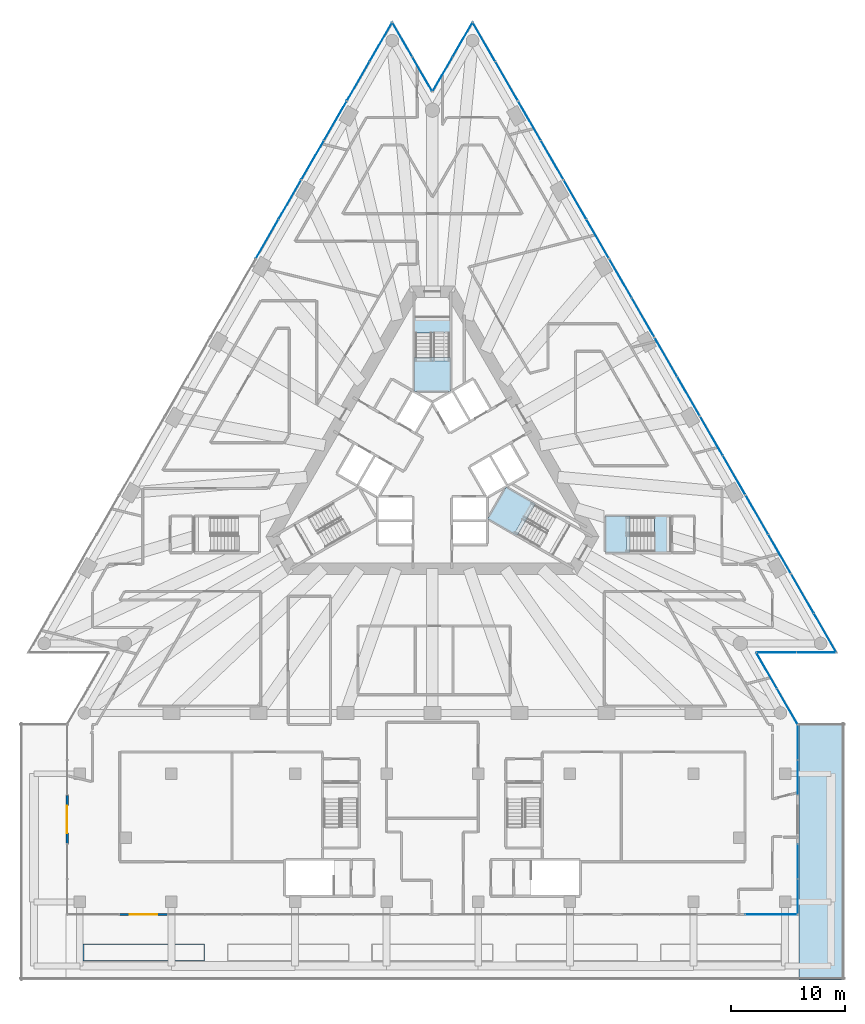
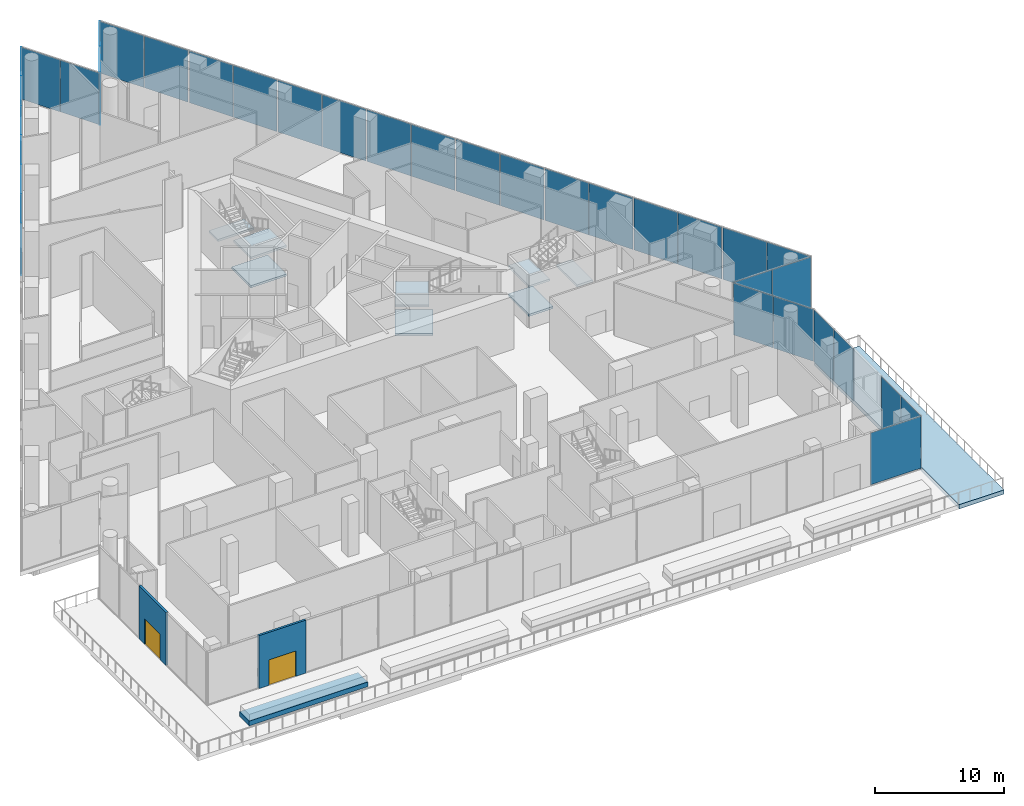
# One storey, part 20 of 32: 35 plates, 9 slabs, 3 walls, 2 doors, 2 openings, 21 elements without a shape of their own.
"""IFC4 building model written with IfcOpenShell, lengths in metres."""

from ifc_helpers import new_model, si_unit, direction, frame, frame_2d, origin, origin_2d, place, context, subcontext, project, spatial, polyline, rectangle, outline, extrude, material, layer, layer_set, layer_usage, type_object, element, fill, aggregate, save


model = new_model("IFC4")

# Units and contexts
model_context = context("Model", 3, precision=1e-05, world=origin(), true_north=direction((0.0, 1.0)))
body_context = subcontext(model_context, "Body", "Model", "MODEL_VIEW")
ifc_project = project(units=[si_unit("LENGTHUNIT", "METRE"), si_unit("AREAUNIT", "SQUARE_METRE"), si_unit("VOLUMEUNIT", "CUBIC_METRE"), si_unit("PLANEANGLEUNIT", "RADIAN"), si_unit("MASSUNIT", "GRAM", prefix="KILO")], contexts=[model_context])

# Site, building, storey
site_placement = place(None, origin())
site = spatial("IfcSite", under=ifc_project, at=site_placement, CompositionType="ELEMENT")
building_placement = place(site_placement, origin())
building = spatial("IfcBuilding", under=site, at=building_placement, Name="Triada Interchange Tower", CompositionType="ELEMENT")
storey_placement = place(building_placement, frame((0.0, 0.0, 14.5)))
storey = spatial("IfcBuildingStorey", under=building, at=storey_placement, Name="L02", CompositionType="ELEMENT", Elevation=14.5)

# Curtain wall, plate
ifc_material_1 = material(Name="Aluminium framed glazing", Category="aluminium")
ifc_layer_1 = layer(ifc_material_1, 0.199951171875)
ifc_layer_set_1 = layer_set([ifc_layer_1], Name="Curtain wall Retail shopfront")
curtain_wall_type = type_object("IfcCurtainWallType", Name="Curtain wall Retail shopfront", PredefinedType="NOTDEFINED", material=ifc_layer_set_1)
curtain_wall_1_placement = place(storey_placement, origin())
curtain_wall_1 = element("IfcCurtainWall", 1, at=curtain_wall_1_placement, inside=storey, type_object=curtain_wall_type, Name="Retail shopfront CW008 L02", PredefinedType="NOTDEFINED")
ifc_material_2 = material(Name="Insulated glazing unit", Category="glass")
ifc_layer_2 = layer(ifc_material_2, 0.028076171875)
ifc_layer_set_2 = layer_set([ifc_layer_2], Name="Glazing panel Retail shopfront 28")
plate_type = type_object("IfcPlateType", Name="Glazing panel Retail shopfront 28", PredefinedType="CURTAIN_PANEL", material=ifc_layer_set_2)
plate_1_placement = place(storey_placement, frame((29.612548828125, -39.199951171875, 0.050048828125), z_axis=(0.0, 0.0, 1.0), x_axis=(1.0, 0.0, 0.0)))
plate_1 = element("IfcPlate", 2, at=plate_1_placement, type_object=plate_type, Name="CW008 panel 1.1", PredefinedType="CURTAIN_PANEL", context=body_context, shape_type="SweptSolid", body=[
    extrude(rectangle(XDim=4.47509765625, YDim=0.028076171875, at=origin_2d()), origin(), (0.0, 0.0, 1.0), 4.89990234375),
])
aggregate(curtain_wall_1, [plate_1])

# Curtain wall, plates
curtain_wall_2_placement = place(storey_placement, origin())
curtain_wall_2 = element("IfcCurtainWall", 3, at=curtain_wall_2_placement, inside=storey, type_object=curtain_wall_type, Name="Retail shopfront CW009 L02", PredefinedType="NOTDEFINED")
plate_2_placement = place(storey_placement, frame((31.89990234375, -37.637451171875, 0.050048828125), z_axis=(0.0, 0.0, 1.0), x_axis=(0.0, 1.0, 0.0)))
plate_2 = element("IfcPlate", 4, at=plate_2_placement, type_object=plate_type, Name="CW009 panel 1.1", PredefinedType="CURTAIN_PANEL", context=body_context, shape_type="SweptSolid", body=[
    extrude(rectangle(XDim=3.02490234375, YDim=0.028076171875, at=origin_2d()), origin(), (0.0, 0.0, 1.0), 4.89990234375),
])
plate_3_placement = place(storey_placement, frame((31.89990234375, -34.5625, 0.050048828125), z_axis=(0.0, 0.0, 1.0), x_axis=(0.0, 1.0, 0.0)))
plate_3 = element("IfcPlate", 5, at=plate_3_placement, type_object=plate_type, Name="CW009 panel 2.1", PredefinedType="CURTAIN_PANEL", context=body_context, shape_type="SweptSolid", body=[
    extrude(rectangle(XDim=3.02490234375, YDim=0.028076171875, at=origin_2d()), origin(), (0.0, 0.0, 1.0), 4.89990234375),
])
aggregate(curtain_wall_2, [plate_2, plate_3])

curtain_wall_3_placement = place(storey_placement, origin())
curtain_wall_3 = element("IfcCurtainWall", 6, at=curtain_wall_3_placement, inside=storey, type_object=curtain_wall_type, Name="Retail shopfront CW010 L02", PredefinedType="NOTDEFINED")
plate_4_placement = place(storey_placement, frame((31.89990234375, -27.237548828125, 0.050048828125), z_axis=(0.0, 0.0, 1.0), x_axis=(0.0, 1.0, 0.0)))
plate_4 = element("IfcPlate", 7, at=plate_4_placement, type_object=plate_type, Name="CW010 panel 1.1", PredefinedType="CURTAIN_PANEL", context=body_context, shape_type="SweptSolid", body=[
    extrude(rectangle(XDim=3.02490234375, YDim=0.028076171875, at=origin_2d()), origin(), (0.0, 0.0, 1.0), 4.89990234375),
])
plate_5_placement = place(storey_placement, frame((31.89990234375, -24.16259765625, 0.050048828125), z_axis=(0.0, 0.0, 1.0), x_axis=(0.0, 1.0, 0.0)))
plate_5 = element("IfcPlate", 8, at=plate_5_placement, type_object=plate_type, Name="CW010 panel 2.1", PredefinedType="CURTAIN_PANEL", context=body_context, shape_type="SweptSolid", body=[
    extrude(rectangle(XDim=3.02490234375, YDim=0.028076171875, at=origin_2d()), origin(), (0.0, 0.0, 1.0), 4.89990234375),
])
aggregate(curtain_wall_3, [plate_4, plate_5])

curtain_wall_4_placement = place(storey_placement, origin())
curtain_wall_4 = element("IfcCurtainWall", 9, at=curtain_wall_4_placement, inside=storey, type_object=curtain_wall_type, Name="Retail shopfront CW011 L02", PredefinedType="NOTDEFINED")
plate_6_placement = place(storey_placement, frame((30.986328125, -21.0205078125, 0.050048828125), z_axis=(0.0, 0.0, 1.0), x_axis=(-0.499909634761, 0.866077569894, 0.0)))
plate_6 = element("IfcPlate", 10, at=plate_6_placement, type_object=plate_type, Name="CW011 panel 1.1", PredefinedType="CURTAIN_PANEL", context=body_context, shape_type="SweptSolid", body=[
    extrude(rectangle(XDim=3.547607421875, YDim=0.028076171875, at=origin_2d()), origin(), (0.0, 0.0, 1.0), 4.89990234375),
])
plate_7_placement = place(storey_placement, frame((29.187744140625, -17.904541015625, 0.050048828125), z_axis=(0.0, 0.0, 1.0), x_axis=(-0.499909634761, 0.866077569894, 0.0)))
plate_7 = element("IfcPlate", 11, at=plate_7_placement, type_object=plate_type, Name="CW011 panel 2.1", PredefinedType="CURTAIN_PANEL", context=body_context, shape_type="SweptSolid", body=[
    extrude(rectangle(XDim=3.547607421875, YDim=0.028076171875, at=origin_2d()), origin(), (0.0, 0.0, 1.0), 4.89990234375),
])
aggregate(curtain_wall_4, [plate_6, plate_7])

curtain_wall_5_placement = place(storey_placement, origin())
curtain_wall_5 = element("IfcCurtainWall", 12, at=curtain_wall_5_placement, inside=storey, type_object=curtain_wall_type, Name="Retail shopfront CW012 L02", PredefinedType="NOTDEFINED")
plate_8_placement = place(storey_placement, frame((30.042236328125, -16.324951171875, 0.050048828125), z_axis=(0.0, 0.0, 1.0), x_axis=(1.0, 0.0, 0.0)))
plate_8 = element("IfcPlate", 13, at=plate_8_placement, type_object=plate_type, Name="CW012 panel 1.1", PredefinedType="CURTAIN_PANEL", context=body_context, shape_type="SweptSolid", body=[
    extrude(rectangle(XDim=3.4326171875, YDim=0.028076171875, at=origin_2d()), origin(), (0.0, 0.0, 1.0), 4.89990234375),
])
plate_9_placement = place(storey_placement, frame((33.524658203125, -16.324951171875, 0.050048828125), z_axis=(0.0, 0.0, 1.0), x_axis=(1.0, 0.0, 0.0)))
plate_9 = element("IfcPlate", 14, at=plate_9_placement, type_object=plate_type, Name="CW012 panel 2.1", PredefinedType="CURTAIN_PANEL", context=body_context, shape_type="SweptSolid", body=[
    extrude(rectangle(XDim=3.4326171875, YDim=0.028076171875, at=origin_2d()), origin(), (0.0, 0.0, 1.0), 4.89990234375),
])
aggregate(curtain_wall_5, [plate_8, plate_9])

curtain_wall_6_placement = place(storey_placement, origin())
curtain_wall_6 = element("IfcCurtainWall", 15, at=curtain_wall_6_placement, inside=storey, type_object=curtain_wall_type, Name="Retail shopfront CW013 L02", PredefinedType="NOTDEFINED")
plate_10_placement = place(storey_placement, frame((34.292236328125, -14.594970703125, 0.050048828125), z_axis=(0.0, 0.0, 1.0), x_axis=(-0.499958648825, 0.86604927658, 0.0)))
plate_10 = element("IfcPlate", 16, at=plate_10_placement, type_object=plate_type, Name="CW013 panel 1.1", PredefinedType="CURTAIN_PANEL", context=body_context, shape_type="SweptSolid", body=[
    extrude(rectangle(XDim=3.895263671875, YDim=0.028076171875, at=origin_2d()), origin(), (0.0, 0.0, 1.0), 4.89990234375),
])
plate_11_placement = place(storey_placement, frame((32.31982421875, -11.177978515625, 0.050048828125), z_axis=(0.0, 0.0, 1.0), x_axis=(-0.499958648825, 0.86604927658, 0.0)))
plate_11 = element("IfcPlate", 17, at=plate_11_placement, type_object=plate_type, Name="CW013 panel 2.1", PredefinedType="CURTAIN_PANEL", context=body_context, shape_type="SweptSolid", body=[
    extrude(rectangle(XDim=3.895263671875, YDim=0.028076171875, at=origin_2d()), origin(), (0.0, 0.0, 1.0), 4.89990234375),
])
aggregate(curtain_wall_6, [plate_10, plate_11])

curtain_wall_7_placement = place(storey_placement, origin())
curtain_wall_7 = element("IfcCurtainWall", 18, at=curtain_wall_7_placement, inside=storey, type_object=curtain_wall_type, Name="Retail shopfront CW014 L02", PredefinedType="NOTDEFINED")
plate_12_placement = place(storey_placement, frame((30.31689453125, -7.710205078125, 0.050048828125), z_axis=(0.0, 0.0, 1.0), x_axis=(-0.499947913852, 0.866055473648, 0.0)))
plate_12 = element("IfcPlate", 19, at=plate_12_placement, type_object=plate_type, Name="CW014 panel 1.1", PredefinedType="CURTAIN_PANEL", context=body_context, shape_type="SweptSolid", body=[
    extrude(rectangle(XDim=3.892333984375, YDim=0.028076171875, at=origin_2d()), origin(), (0.0, 0.0, 1.0), 4.89990234375),
])
plate_13_placement = place(storey_placement, frame((28.345947265625, -4.2958984375, 0.050048828125), z_axis=(0.0, 0.0, 1.0), x_axis=(-0.499947913852, 0.866055473648, 0.0)))
plate_13 = element("IfcPlate", 20, at=plate_13_placement, type_object=plate_type, Name="CW014 panel 2.1", PredefinedType="CURTAIN_PANEL", context=body_context, shape_type="SweptSolid", body=[
    extrude(rectangle(XDim=3.892333984375, YDim=0.028076171875, at=origin_2d()), origin(), (0.0, 0.0, 1.0), 4.89990234375),
])
aggregate(curtain_wall_7, [plate_12, plate_13])

curtain_wall_8_placement = place(storey_placement, origin())
curtain_wall_8 = element("IfcCurtainWall", 21, at=curtain_wall_8_placement, inside=storey, type_object=curtain_wall_type, Name="Retail shopfront CW015 L02", PredefinedType="NOTDEFINED")
plate_14_placement = place(storey_placement, frame((26.343994140625, -0.8291015625, 0.050048828125), z_axis=(0.0, 0.0, 1.0), x_axis=(-0.499947913852, 0.866055473648, 0.0)))
plate_14 = element("IfcPlate", 22, at=plate_14_placement, type_object=plate_type, Name="CW015 panel 1.1", PredefinedType="CURTAIN_PANEL", context=body_context, shape_type="SweptSolid", body=[
    extrude(rectangle(XDim=3.892333984375, YDim=0.028076171875, at=origin_2d()), origin(), (0.0, 0.0, 1.0), 4.89990234375),
])
plate_15_placement = place(storey_placement, frame((24.373046875, 2.585205078125, 0.050048828125), z_axis=(0.0, 0.0, 1.0), x_axis=(-0.499947913852, 0.866055473648, 0.0)))
plate_15 = element("IfcPlate", 23, at=plate_15_placement, type_object=plate_type, Name="CW015 panel 2.1", PredefinedType="CURTAIN_PANEL", context=body_context, shape_type="SweptSolid", body=[
    extrude(rectangle(XDim=3.892333984375, YDim=0.028076171875, at=origin_2d()), origin(), (0.0, 0.0, 1.0), 4.89990234375),
])
aggregate(curtain_wall_8, [plate_14, plate_15])

curtain_wall_9_placement = place(storey_placement, origin())
curtain_wall_9 = element("IfcCurtainWall", 24, at=curtain_wall_9_placement, inside=storey, type_object=curtain_wall_type, Name="Retail shopfront CW016 L02", PredefinedType="NOTDEFINED")
plate_16_placement = place(storey_placement, frame((22.37109375, 6.052001953125, 0.050048828125), z_axis=(0.0, 0.0, 1.0), x_axis=(-0.499893351442, 0.866086968603, 0.0)))
plate_16 = element("IfcPlate", 25, at=plate_16_placement, type_object=plate_type, Name="CW016 panel 1.1", PredefinedType="CURTAIN_PANEL", context=body_context, shape_type="SweptSolid", body=[
    extrude(rectangle(XDim=3.892822265625, YDim=0.028076171875, at=origin_2d()), origin(), (0.0, 0.0, 1.0), 4.89990234375),
])
plate_17_placement = place(storey_placement, frame((20.39990234375, 9.467041015625, 0.050048828125), z_axis=(0.0, 0.0, 1.0), x_axis=(-0.499893351442, 0.866086968603, 0.0)))
plate_17 = element("IfcPlate", 26, at=plate_17_placement, type_object=plate_type, Name="CW016 panel 2.1", PredefinedType="CURTAIN_PANEL", context=body_context, shape_type="SweptSolid", body=[
    extrude(rectangle(XDim=3.892822265625, YDim=0.028076171875, at=origin_2d()), origin(), (0.0, 0.0, 1.0), 4.89990234375),
])
aggregate(curtain_wall_9, [plate_16, plate_17])

curtain_wall_10_placement = place(storey_placement, origin())
curtain_wall_10 = element("IfcCurtainWall", 27, at=curtain_wall_10_placement, inside=storey, type_object=curtain_wall_type, Name="Retail shopfront CW017 L02", PredefinedType="NOTDEFINED")
plate_18_placement = place(storey_placement, frame((18.39794921875, 12.93310546875, 0.050048828125), z_axis=(0.0, 0.0, 1.0), x_axis=(-0.499893351442, 0.866086968603, 0.0)))
plate_18 = element("IfcPlate", 28, at=plate_18_placement, type_object=plate_type, Name="CW017 panel 1.1", PredefinedType="CURTAIN_PANEL", context=body_context, shape_type="SweptSolid", body=[
    extrude(rectangle(XDim=3.892822265625, YDim=0.028076171875, at=origin_2d()), origin(), (0.0, 0.0, 1.0), 4.89990234375),
])
plate_19_placement = place(storey_placement, frame((16.427001953125, 16.347900390625, 0.050048828125), z_axis=(0.0, 0.0, 1.0), x_axis=(-0.499893351442, 0.866086968603, 0.0)))
plate_19 = element("IfcPlate", 29, at=plate_19_placement, type_object=plate_type, Name="CW017 panel 2.1", PredefinedType="CURTAIN_PANEL", context=body_context, shape_type="SweptSolid", body=[
    extrude(rectangle(XDim=3.892822265625, YDim=0.028076171875, at=origin_2d()), origin(), (0.0, 0.0, 1.0), 4.89990234375),
])
aggregate(curtain_wall_10, [plate_18, plate_19])

curtain_wall_11_placement = place(storey_placement, origin())
curtain_wall_11 = element("IfcCurtainWall", 30, at=curtain_wall_11_placement, inside=storey, type_object=curtain_wall_type, Name="Retail shopfront CW018 L02", PredefinedType="NOTDEFINED")
plate_20_placement = place(storey_placement, frame((14.425048828125, 19.81494140625, 0.050048828125), z_axis=(0.0, 0.0, 1.0), x_axis=(-0.499947913852, 0.866055473648, 0.0)))
plate_20 = element("IfcPlate", 31, at=plate_20_placement, type_object=plate_type, Name="CW018 panel 1.1", PredefinedType="CURTAIN_PANEL", context=body_context, shape_type="SweptSolid", body=[
    extrude(rectangle(XDim=3.892333984375, YDim=0.028076171875, at=origin_2d()), origin(), (0.0, 0.0, 1.0), 4.89990234375),
])
plate_21_placement = place(storey_placement, frame((12.4541015625, 23.229248046875, 0.050048828125), z_axis=(0.0, 0.0, 1.0), x_axis=(-0.499947913852, 0.866055473648, 0.0)))
plate_21 = element("IfcPlate", 32, at=plate_21_placement, type_object=plate_type, Name="CW018 panel 2.1", PredefinedType="CURTAIN_PANEL", context=body_context, shape_type="SweptSolid", body=[
    extrude(rectangle(XDim=3.892333984375, YDim=0.028076171875, at=origin_2d()), origin(), (0.0, 0.0, 1.0), 4.89990234375),
])
aggregate(curtain_wall_11, [plate_20, plate_21])

curtain_wall_12_placement = place(storey_placement, origin())
curtain_wall_12 = element("IfcCurtainWall", 33, at=curtain_wall_12_placement, inside=storey, type_object=curtain_wall_type, Name="Retail shopfront CW019 L02", PredefinedType="NOTDEFINED")
plate_22_placement = place(storey_placement, frame((10.451904296875, 26.69580078125, 0.050048828125), z_axis=(0.0, 0.0, 1.0), x_axis=(-0.499947913852, 0.866055473648, 0.0)))
plate_22 = element("IfcPlate", 34, at=plate_22_placement, type_object=plate_type, Name="CW019 panel 1.1", PredefinedType="CURTAIN_PANEL", context=body_context, shape_type="SweptSolid", body=[
    extrude(rectangle(XDim=3.892333984375, YDim=0.028076171875, at=origin_2d()), origin(), (0.0, 0.0, 1.0), 4.89990234375),
])
plate_23_placement = place(storey_placement, frame((8.48095703125, 30.110107421875, 0.050048828125), z_axis=(0.0, 0.0, 1.0), x_axis=(-0.499947913852, 0.866055473648, 0.0)))
plate_23 = element("IfcPlate", 35, at=plate_23_placement, type_object=plate_type, Name="CW019 panel 2.1", PredefinedType="CURTAIN_PANEL", context=body_context, shape_type="SweptSolid", body=[
    extrude(rectangle(XDim=3.892333984375, YDim=0.028076171875, at=origin_2d()), origin(), (0.0, 0.0, 1.0), 4.89990234375),
])
aggregate(curtain_wall_12, [plate_22, plate_23])

curtain_wall_13_placement = place(storey_placement, origin())
curtain_wall_13 = element("IfcCurtainWall", 36, at=curtain_wall_13_placement, inside=storey, type_object=curtain_wall_type, Name="Retail shopfront CW020 L02", PredefinedType="NOTDEFINED")
plate_24_placement = place(storey_placement, frame((6.478271484375, 33.578125, 0.050048828125), z_axis=(0.0, 0.0, 1.0), x_axis=(-0.499958648825, 0.86604927658, 0.0)))
plate_24 = element("IfcPlate", 37, at=plate_24_placement, type_object=plate_type, Name="CW020 panel 1.1", PredefinedType="CURTAIN_PANEL", context=body_context, shape_type="SweptSolid", body=[
    extrude(rectangle(XDim=3.895263671875, YDim=0.028076171875, at=origin_2d()), origin(), (0.0, 0.0, 1.0), 4.89990234375),
])
plate_25_placement = place(storey_placement, frame((4.505859375, 36.994873046875, 0.050048828125), z_axis=(0.0, 0.0, 1.0), x_axis=(-0.499958648825, 0.86604927658, 0.0)))
plate_25 = element("IfcPlate", 38, at=plate_25_placement, type_object=plate_type, Name="CW020 panel 2.1", PredefinedType="CURTAIN_PANEL", context=body_context, shape_type="SweptSolid", body=[
    extrude(rectangle(XDim=3.895263671875, YDim=0.028076171875, at=origin_2d()), origin(), (0.0, 0.0, 1.0), 4.89990234375),
])
aggregate(curtain_wall_13, [plate_24, plate_25])

curtain_wall_14_placement = place(storey_placement, origin())
curtain_wall_14 = element("IfcCurtainWall", 39, at=curtain_wall_14_placement, inside=storey, type_object=curtain_wall_type, Name="Retail shopfront CW021 L02", PredefinedType="NOTDEFINED")
plate_26_placement = place(storey_placement, frame((2.6240234375, 37.1953125, 0.050048828125), z_axis=(0.0, 0.0, 1.0), x_axis=(-0.499956922962, -0.866050272896, 0.0)))
plate_26 = element("IfcPlate", 40, at=plate_26_placement, type_object=plate_type, Name="CW021 panel 1.1", PredefinedType="CURTAIN_PANEL", context=body_context, shape_type="SweptSolid", body=[
    extrude(rectangle(XDim=3.432373046875, YDim=0.028076171875, at=origin_2d()), origin(), (0.0, 0.0, 1.0), 4.89990234375),
])
plate_27_placement = place(storey_placement, frame((0.883056640625, 34.1796875, 0.050048828125), z_axis=(0.0, 0.0, 1.0), x_axis=(-0.499956922962, -0.866050272896, 0.0)))
plate_27 = element("IfcPlate", 41, at=plate_27_placement, type_object=plate_type, Name="CW021 panel 2.1", PredefinedType="CURTAIN_PANEL", context=body_context, shape_type="SweptSolid", body=[
    extrude(rectangle(XDim=3.432373046875, YDim=0.028076171875, at=origin_2d()), origin(), (0.0, 0.0, 1.0), 4.89990234375),
])
aggregate(curtain_wall_14, [plate_26, plate_27])

curtain_wall_15_placement = place(storey_placement, origin())
curtain_wall_15 = element("IfcCurtainWall", 42, at=curtain_wall_15_placement, inside=storey, type_object=curtain_wall_type, Name="Retail shopfront CW022 L02", PredefinedType="NOTDEFINED")
plate_28_placement = place(storey_placement, frame((-0.883056640625, 34.1796875, 0.050048828125), z_axis=(0.0, 0.0, 1.0), x_axis=(-0.499956922962, 0.866050272896, 0.0)))
plate_28 = element("IfcPlate", 43, at=plate_28_placement, type_object=plate_type, Name="CW022 panel 1.1", PredefinedType="CURTAIN_PANEL", context=body_context, shape_type="SweptSolid", body=[
    extrude(rectangle(XDim=3.432373046875, YDim=0.028076171875, at=origin_2d()), origin(), (0.0, 0.0, 1.0), 4.89990234375),
])
plate_29_placement = place(storey_placement, frame((-2.6240234375, 37.1953125, 0.050048828125), z_axis=(0.0, 0.0, 1.0), x_axis=(-0.499956922962, 0.866050272896, 0.0)))
plate_29 = element("IfcPlate", 44, at=plate_29_placement, type_object=plate_type, Name="CW022 panel 2.1", PredefinedType="CURTAIN_PANEL", context=body_context, shape_type="SweptSolid", body=[
    extrude(rectangle(XDim=3.432373046875, YDim=0.028076171875, at=origin_2d()), origin(), (0.0, 0.0, 1.0), 4.89990234375),
])
aggregate(curtain_wall_15, [plate_28, plate_29])

curtain_wall_16_placement = place(storey_placement, origin())
curtain_wall_16 = element("IfcCurtainWall", 45, at=curtain_wall_16_placement, inside=storey, type_object=curtain_wall_type, Name="Retail shopfront CW023 L02", PredefinedType="NOTDEFINED")
plate_30_placement = place(storey_placement, frame((-4.505859375, 36.994873046875, 0.050048828125), z_axis=(0.0, 0.0, 1.0), x_axis=(-0.499958648825, -0.86604927658, 0.0)))
plate_30 = element("IfcPlate", 46, at=plate_30_placement, type_object=plate_type, Name="CW023 panel 1.1", PredefinedType="CURTAIN_PANEL", context=body_context, shape_type="SweptSolid", body=[
    extrude(rectangle(XDim=3.895263671875, YDim=0.028076171875, at=origin_2d()), origin(), (0.0, 0.0, 1.0), 4.89990234375),
])
plate_31_placement = place(storey_placement, frame((-6.478271484375, 33.578125, 0.050048828125), z_axis=(0.0, 0.0, 1.0), x_axis=(-0.499958648825, -0.86604927658, 0.0)))
plate_31 = element("IfcPlate", 47, at=plate_31_placement, type_object=plate_type, Name="CW023 panel 2.1", PredefinedType="CURTAIN_PANEL", context=body_context, shape_type="SweptSolid", body=[
    extrude(rectangle(XDim=3.895263671875, YDim=0.028076171875, at=origin_2d()), origin(), (0.0, 0.0, 1.0), 4.89990234375),
])
aggregate(curtain_wall_16, [plate_30, plate_31])

curtain_wall_17_placement = place(storey_placement, origin())
curtain_wall_17 = element("IfcCurtainWall", 48, at=curtain_wall_17_placement, inside=storey, type_object=curtain_wall_type, Name="Retail shopfront CW024 L02", PredefinedType="NOTDEFINED")
plate_32_placement = place(storey_placement, frame((-8.48095703125, 30.110107421875, 0.050048828125), z_axis=(0.0, 0.0, 1.0), x_axis=(-0.499947913852, -0.866055473648, 0.0)))
plate_32 = element("IfcPlate", 49, at=plate_32_placement, type_object=plate_type, Name="CW024 panel 1.1", PredefinedType="CURTAIN_PANEL", context=body_context, shape_type="SweptSolid", body=[
    extrude(rectangle(XDim=3.892333984375, YDim=0.028076171875, at=origin_2d()), origin(), (0.0, 0.0, 1.0), 4.89990234375),
])
plate_33_placement = place(storey_placement, frame((-10.451904296875, 26.69580078125, 0.050048828125), z_axis=(0.0, 0.0, 1.0), x_axis=(-0.499947913852, -0.866055473648, 0.0)))
plate_33 = element("IfcPlate", 50, at=plate_33_placement, type_object=plate_type, Name="CW024 panel 2.1", PredefinedType="CURTAIN_PANEL", context=body_context, shape_type="SweptSolid", body=[
    extrude(rectangle(XDim=3.892333984375, YDim=0.028076171875, at=origin_2d()), origin(), (0.0, 0.0, 1.0), 4.89990234375),
])
aggregate(curtain_wall_17, [plate_32, plate_33])

curtain_wall_18_placement = place(storey_placement, origin())
curtain_wall_18 = element("IfcCurtainWall", 51, at=curtain_wall_18_placement, inside=storey, type_object=curtain_wall_type, Name="Retail shopfront CW025 L02", PredefinedType="NOTDEFINED")
plate_34_placement = place(storey_placement, frame((-12.4541015625, 23.229248046875, 0.050048828125), z_axis=(0.0, 0.0, 1.0), x_axis=(-0.499947913852, -0.866055473648, 0.0)))
plate_34 = element("IfcPlate", 52, at=plate_34_placement, type_object=plate_type, Name="CW025 panel 1.1", PredefinedType="CURTAIN_PANEL", context=body_context, shape_type="SweptSolid", body=[
    extrude(rectangle(XDim=3.892333984375, YDim=0.028076171875, at=origin_2d()), origin(), (0.0, 0.0, 1.0), 4.89990234375),
])
plate_35_placement = place(storey_placement, frame((-14.425048828125, 19.81494140625, 0.050048828125), z_axis=(0.0, 0.0, 1.0), x_axis=(-0.499947913852, -0.866055473648, 0.0)))
plate_35 = element("IfcPlate", 53, at=plate_35_placement, type_object=plate_type, Name="CW025 panel 2.1", PredefinedType="CURTAIN_PANEL", context=body_context, shape_type="SweptSolid", body=[
    extrude(rectangle(XDim=3.892333984375, YDim=0.028076171875, at=origin_2d()), origin(), (0.0, 0.0, 1.0), 4.89990234375),
])
aggregate(curtain_wall_18, [plate_34, plate_35])

# Stair, slabs
ifc_material_3 = material(Name="Concrete C35/45", Category="concrete")
stair_type = type_object("IfcStairType", Name="HALF TURN STAIR 1400", PredefinedType="HALF_TURN_STAIR", material=ifc_material_3)
stair_1_placement = place(storey_placement, origin())
stair_1 = element("IfcStair", 54, at=stair_1_placement, inside=storey, type_object=stair_type, Name="Exit stair S02-1", PredefinedType="HALF_TURN_STAIR")
ifc_layer_3 = layer(ifc_material_3, 0.199951171875)
ifc_layer_set_3 = layer_set([ifc_layer_3], Name="STAIR LANDING 200")
slab_type_1 = type_object("IfcSlabType", Name="STAIR LANDING 200", PredefinedType="LANDING", material=ifc_layer_set_3)
slab_1_placement = place(storey_placement, frame((0.0, 0.0, 1.070556640625)))
slab_1 = element("IfcSlab", 55, at=slab_1_placement, type_object=slab_type_1, Name="S02-1 landing 1", PredefinedType="LANDING", context=body_context, shape_type="SweptSolid", body=[
    extrude(outline(polyline([(1.60009765625, 6.5), (1.60009765625, 9.465087890625), (-1.60009765625, 9.465087890625), (-1.60009765625, 6.5), (1.60009765625, 6.5)])), origin(), (0.0, 0.0, 1.0), 0.199951171875),
])
slab_2_placement = place(storey_placement, frame((0.0, 0.0, 3.7705078125)))
slab_2 = element("IfcSlab", 56, at=slab_2_placement, type_object=slab_type_1, Name="S02-1 landing 2", PredefinedType="LANDING", context=body_context, shape_type="SweptSolid", body=[
    extrude(outline(polyline([(1.60009765625, 6.5), (1.60009765625, 9.159912109375), (-1.60009765625, 9.159912109375), (-1.60009765625, 6.5), (1.60009765625, 6.5)])), origin(), (0.0, 0.0, 1.0), 0.199951171875),
])
slab_3_placement = place(storey_placement, frame((0.0, 0.0, 2.341064453125)))
slab_3 = element("IfcSlab", 57, at=slab_3_placement, type_object=slab_type_1, Name="S02-1 landing 3", PredefinedType="LANDING", context=body_context, shape_type="SweptSolid", body=[
    extrude(outline(polyline([(1.60009765625, 11.60009765625), (1.60009765625, 13.0), (-1.60009765625, 13.0), (-1.60009765625, 11.60009765625), (1.60009765625, 11.60009765625)])), origin(), (0.0, 0.0, 1.0), 0.199951171875),
])
aggregate(stair_1, [slab_1, slab_2, slab_3])

stair_2_placement = place(storey_placement, origin())
stair_2 = element("IfcStair", 58, at=stair_2_placement, inside=storey, type_object=stair_type, Name="Exit stair S02-3", PredefinedType="HALF_TURN_STAIR")
slab_4_placement = place(storey_placement, frame((0.0, 0.0, 1.070556640625)))
slab_4 = element("IfcSlab", 59, at=slab_4_placement, type_object=slab_type_1, Name="S02-3 landing 1", PredefinedType="LANDING", context=body_context, shape_type="SweptSolid", body=[
    extrude(outline(polyline([(4.8291015625, -4.635986328125), (7.39697265625, -6.117919921875), (8.9970703125, -3.346923828125), (6.428955078125, -1.864013671875), (4.8291015625, -4.635986328125)])), origin(), (0.0, 0.0, 1.0), 0.199951171875),
])
slab_5_placement = place(storey_placement, frame((0.0, 0.0, 3.7705078125)))
slab_5 = element("IfcSlab", 60, at=slab_5_placement, type_object=slab_type_1, Name="S02-3 landing 2", PredefinedType="LANDING", context=body_context, shape_type="SweptSolid", body=[
    extrude(outline(polyline([(4.8291015625, -4.635986328125), (7.133056640625, -5.966064453125), (8.73291015625, -3.194091796875), (6.428955078125, -1.864013671875), (4.8291015625, -4.635986328125)])), origin(), (0.0, 0.0, 1.0), 0.199951171875),
])
aggregate(stair_2, [slab_4, slab_5])

stair_3_placement = place(storey_placement, origin())
stair_3 = element("IfcStair", 61, at=stair_3_placement, inside=storey, type_object=stair_type, Name="Exit stair S02-7", PredefinedType="HALF_TURN_STAIR")
slab_6_placement = place(storey_placement, frame((0.0, 0.0, 1.070556640625)))
slab_6 = element("IfcSlab", 62, at=slab_6_placement, type_object=slab_type_1, Name="S02-7 landing 1", PredefinedType="LANDING", context=body_context, shape_type="SweptSolid", body=[
    extrude(outline(polyline([(15.10009765625, -7.60009765625), (17.264892578125, -7.60009765625), (17.264892578125, -4.39990234375), (15.10009765625, -4.39990234375), (15.10009765625, -7.60009765625)])), origin(), (0.0, 0.0, 1.0), 0.199951171875),
])
slab_7_placement = place(storey_placement, frame((0.0, 0.0, 3.7705078125)))
slab_7 = element("IfcSlab", 63, at=slab_7_placement, type_object=slab_type_1, Name="S02-7 landing 2", PredefinedType="LANDING", context=body_context, shape_type="SweptSolid", body=[
    extrude(outline(polyline([(15.10009765625, -7.60009765625), (16.9599609375, -7.60009765625), (16.9599609375, -4.39990234375), (15.10009765625, -4.39990234375), (15.10009765625, -7.60009765625)])), origin(), (0.0, 0.0, 1.0), 0.199951171875),
])
slab_8_placement = place(storey_placement, frame((0.0, 0.0, 2.341064453125)))
slab_8 = element("IfcSlab", 64, at=slab_8_placement, type_object=slab_type_1, Name="S02-7 landing 3", PredefinedType="LANDING", context=body_context, shape_type="SweptSolid", body=[
    extrude(outline(polyline([(19.39990234375, -7.60009765625), (20.800048828125, -7.60009765625), (20.800048828125, -4.39990234375), (19.39990234375, -4.39990234375), (19.39990234375, -7.60009765625)])), origin(), (0.0, 0.0, 1.0), 0.199951171875),
])
aggregate(stair_3, [slab_6, slab_7, slab_8])

# Slab
ifc_material_4 = material(Name="Concrete C30/37 paving slab", Category="concrete")
ifc_layer_4 = layer(ifc_material_4, 0.0400390625, Name="Paving slab")
ifc_material_5 = material(Name="Drainage mat")
ifc_layer_5 = layer(ifc_material_5, 0.02490234375, Name="Drainage layer")
ifc_material_6 = material(Name="Bituminous membrane")
ifc_layer_6 = layer(ifc_material_6, 0.0048828125, Name="Waterproof membrane")
ifc_material_7 = material(Name="Mineral wool")
ifc_layer_7 = layer(ifc_material_7, 0.080078125, Name="Thermal insulation")
ifc_material_8 = material(Name="Screed CT-C25-F4")
ifc_layer_8 = layer(ifc_material_8, 0.050048828125, Name="Screed to falls")
ifc_material_9 = material(Name="Concrete C40/50", Category="concrete")
ifc_layer_9 = layer(ifc_material_9, 0.199951171875, Name="Reinforced concrete slab")
ifc_layer_set_4 = layer_set([ifc_layer_4, ifc_layer_5, ifc_layer_6, ifc_layer_7, ifc_layer_8, ifc_layer_9], Name="Terrace slab 400")
ifc_layer_usage_1 = layer_usage(ifc_layer_set_4, "AXIS3", "POSITIVE", 0.0)
slab_type_2 = type_object("IfcSlabType", Name="Terrace slab 400", PredefinedType="FLOOR", material=ifc_layer_set_4)
slab_9_placement = place(storey_placement, frame((0.0, 0.0, -0.39990234375)))
element("IfcSlab", 65, at=slab_9_placement, inside=storey, type_object=slab_type_2, material=ifc_layer_usage_1, Name="Terrace slab L02 2", PredefinedType="FLOOR", context=body_context, shape_type="SweptSolid", body=[
    extrude(outline(polyline([(32.0, -44.89990234375), (36.0, -44.89990234375), (36.0, -22.5), (32.0, -22.5), (32.0, -44.89990234375)])), origin(), (0.0, 0.0, 1.0), 0.39990234375),
])

# Wall, opening, door
ifc_material_10 = material(Name="Cement board")
ifc_layer_10 = layer(ifc_material_10, 0.02001953125, Name="Cement board cladding")
ifc_material_11 = material(Name="Sheathing board")
ifc_layer_11 = layer(ifc_material_11, 0.014892578125, Name="Sheathing board")
ifc_layer_12 = layer(ifc_material_7, 0.14990234375, Name="Mineral wool between steel studs")
ifc_material_12 = material(Name="Gypsum board")
ifc_layer_13 = layer(ifc_material_12, 0.014892578125, Name="Plasterboard lining")
ifc_layer_set_5 = layer_set([ifc_layer_10, ifc_layer_11, ifc_layer_12, ifc_layer_13], Name="External wall 200")
ifc_layer_usage_2 = layer_usage(ifc_layer_set_5, "AXIS2", "POSITIVE", -0.10009765625)
wall_type_1 = type_object("IfcWallType", Name="External wall 200", PredefinedType="ELEMENTEDWALL", material=ifc_layer_set_5)
wall_1_placement = place(storey_placement, frame((-27.324951171875, -39.199951171875, 0.0), z_axis=(0.0, 0.0, 1.0), x_axis=(1.0, 0.0, 0.0)))
wall_1 = element("IfcWall", 66, at=wall_1_placement, inside=storey, type_object=wall_type_1, material=ifc_layer_usage_2, Name="External wall L02 00.1", PredefinedType="ELEMENTEDWALL", context=body_context, shape_type="SweptSolid", body=[
    extrude(rectangle(XDim=4.199951171875, YDim=0.199951171875, at=frame_2d((2.10009765625, 0.0))), origin(), (0.0, 0.0, 1.0), 5.0),
])
opening_1_placement = place(wall_1_placement, frame((0.89990234375, 0.0, 0.0)))
opening_1 = element("IfcOpeningElement", 67, at=opening_1_placement, cuts=wall_1, Name="Opening DX38", PredefinedType="OPENING", context=body_context, shape_type="SweptSolid", body=[
    extrude(rectangle(XDim=2.39990234375, YDim=2.39990234375, at=frame_2d((1.199951171875, 1.199951171875))), frame((0.0, 0.10986328125, 0.0), z_axis=(0.0, -1.0, 0.0), x_axis=(1.0, 0.0, 0.0)), (0.0, 0.0, 1.0), 0.219970703125),
])
ifc_material_13 = material(Name="Aluminium and glass", Category="aluminium")
door_type = type_object("IfcDoorType", Name="Terrace door double", OperationType="DOUBLE_DOOR_SINGLE_SWING", PredefinedType="DOOR", material=ifc_material_13)
door_1_placement = place(opening_1_placement, frame((2.39990234375, 0.0, 0.0), z_axis=(0.0, 0.0, 1.0), x_axis=(-1.0, 0.0, 0.0)))
door_1 = element("IfcDoor", 68, at=door_1_placement, inside=storey, type_object=door_type, Name="Door DX38 L02", OperationType="DOUBLE_DOOR_SINGLE_SWING", OverallHeight=2.39990234375, OverallWidth=2.39990234375, PredefinedType="DOOR", context=body_context, shape_type="SweptSolid", body=[
    extrude(rectangle(XDim=2.39990234375, YDim=2.39990234375, at=frame_2d((1.199951171875, 1.199951171875))), frame((0.0, 0.02490234375, 0.0), z_axis=(0.0, -1.0, 0.0), x_axis=(1.0, 0.0, 0.0)), (0.0, 0.0, 1.0), 0.050048828125),
])
fill(opening_1, door_1)

wall_2_placement = place(storey_placement, frame((-31.89990234375, -28.800048828125, 0.0), z_axis=(0.0, 0.0, 1.0), x_axis=(0.0, -1.0, 0.0)))
wall_2 = element("IfcWall", 69, at=wall_2_placement, inside=storey, type_object=wall_type_1, material=ifc_layer_usage_2, Name="External wall L02 12.1", PredefinedType="ELEMENTEDWALL", context=body_context, shape_type="SweptSolid", body=[
    extrude(rectangle(XDim=4.199951171875, YDim=0.199951171875, at=frame_2d((2.10009765625, 0.0))), origin(), (0.0, 0.0, 1.0), 5.0),
])
opening_2_placement = place(wall_2_placement, frame((0.89990234375, 0.0, 0.0)))
opening_2 = element("IfcOpeningElement", 70, at=opening_2_placement, cuts=wall_2, Name="Opening DX43", PredefinedType="OPENING", context=body_context, shape_type="SweptSolid", body=[
    extrude(rectangle(XDim=2.39990234375, YDim=2.39990234375, at=frame_2d((1.199951171875, 1.199951171875))), frame((0.0, 0.10986328125, 0.0), z_axis=(0.0, -1.0, 0.0), x_axis=(1.0, 0.0, 0.0)), (0.0, 0.0, 1.0), 0.219970703125),
])
door_2_placement = place(opening_2_placement, frame((2.39990234375, 0.0, 0.0), z_axis=(0.0, 0.0, 1.0), x_axis=(-1.0, 0.0, 0.0)))
door_2 = element("IfcDoor", 71, at=door_2_placement, inside=storey, type_object=door_type, Name="Door DX43 L02", OperationType="DOUBLE_DOOR_SINGLE_SWING", OverallHeight=2.39990234375, OverallWidth=2.39990234375, PredefinedType="DOOR", context=body_context, shape_type="SweptSolid", body=[
    extrude(rectangle(XDim=2.39990234375, YDim=2.39990234375, at=frame_2d((1.199951171875, 1.199951171875))), frame((0.0, 0.02490234375, 0.0), z_axis=(0.0, -1.0, 0.0), x_axis=(1.0, 0.0, 0.0)), (0.0, 0.0, 1.0), 0.050048828125),
])
fill(opening_2, door_2)

# Wall
ifc_material_14 = material(Name="Concrete C30/37", Category="concrete")
ifc_layer_14 = layer(ifc_material_14, 1.5)
ifc_layer_set_6 = layer_set([ifc_layer_14], Name="Planter bed 450")
wall_type_2 = type_object("IfcWallType", Name="Planter bed 450", PredefinedType="STANDARD", material=ifc_layer_set_6)
wall_3_placement = place(storey_placement, frame((-30.5, -42.530029296875, 0.0), z_axis=(0.0, 0.0, 1.0), x_axis=(1.0, 0.0, 0.0)))
element("IfcWall", 72, at=wall_3_placement, inside=storey, type_object=wall_type_2, Name="PLANTER L02 07", PredefinedType="STANDARD", context=body_context, shape_type="SweptSolid", body=[
    extrude(rectangle(XDim=10.60009765625, YDim=1.5, at=frame_2d((5.300048828125, 0.0))), origin(), (0.0, 0.0, 1.0), 0.449951171875),
])

save(model, "model.ifc")
